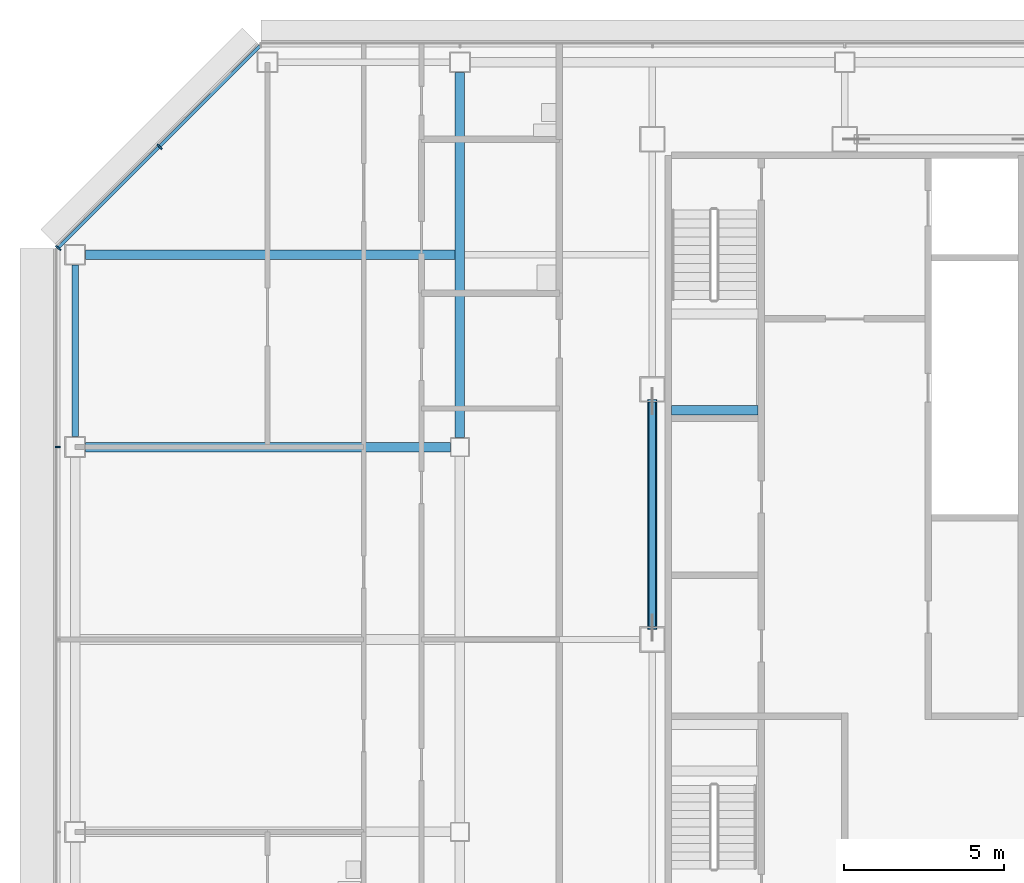
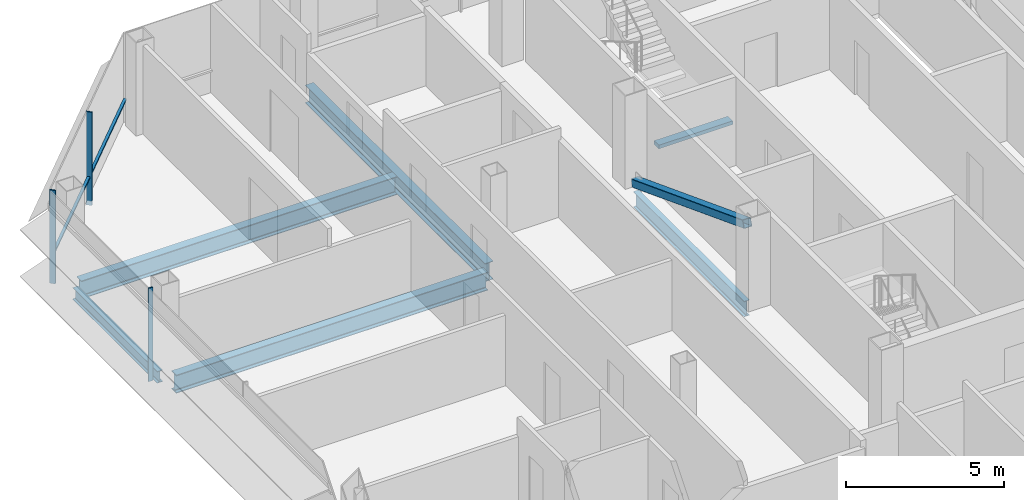
# One storey, part 11 of 27: 6 beams, 5 members, 2 elements without a shape of their own.
"""IFC4 building model written with IfcOpenShell, lengths in metres."""

from ifc_helpers import new_model, si_unit, direction, frame, origin, origin_2d, place, context, subcontext, project, spatial, rectangle, hollow_rectangle, i_section, extrude, material, material_profile, profile_set, type_object, element, aggregate, save


model = new_model("IFC4")

# Units and contexts
model_context = context("Model", 3, precision=1e-05, world=origin(), true_north=direction((0.0, 1.0)))
body_context = subcontext(model_context, "Body", "Model", "MODEL_VIEW")
ifc_project = project(units=[si_unit("LENGTHUNIT", "METRE"), si_unit("AREAUNIT", "SQUARE_METRE"), si_unit("VOLUMEUNIT", "CUBIC_METRE"), si_unit("PLANEANGLEUNIT", "RADIAN"), si_unit("MASSUNIT", "GRAM", prefix="KILO")], contexts=[model_context])

# Site, building, storey
site_placement = place(None, origin())
site = spatial("IfcSite", under=ifc_project, at=site_placement, CompositionType="ELEMENT")
building_placement = place(site_placement, origin())
building = spatial("IfcBuilding", under=site, at=building_placement, Name="Sorahane Residences", CompositionType="ELEMENT")
storey_placement = place(building_placement, frame((0.0, 0.0, 226.199951171875)))
storey = spatial("IfcBuildingStorey", under=building, at=storey_placement, Name="L53", CompositionType="ELEMENT", Elevation=226.199951171875)

# Member
ifc_material_1 = material(Name="Steel Q355B", Category="steel")
ifc_material_profile_1 = material_profile(ifc_material_1, hollow_rectangle(XDim=0.300048828125, YDim=0.300048828125, WallThickness=0.01611328125, InnerFilletRadius=0.008056640625, OuterFilletRadius=0.02392578125, at=origin_2d()), Name="RHS 300x300x16")
ifc_profile_set_1 = profile_set([ifc_material_profile_1], Name="Steel Q355B")
member_type_1 = type_object("IfcMemberType", Name="Core brace RHS 300x300x16 Q355B", PredefinedType="BRACE", material=ifc_profile_set_1)
member_1_placement = place(storey_placement, frame((6.0, 37.43212890625, 0.1376953125), z_axis=(0.0, -0.934335722983, 0.356394103147), x_axis=(1.0, 0.0, 0.0)))
element("IfcMember", 1, at=member_1_placement, inside=storey, type_object=member_type_1, Name="Core brace L53 x6-2", PredefinedType="BRACE", context=body_context, shape_type="SweptSolid", body=[
    extrude(hollow_rectangle(XDim=0.300048828125, YDim=0.300048828125, WallThickness=0.01611328125, InnerFilletRadius=0.008056640625, OuterFilletRadius=0.02392578125, at=origin_2d()), origin(), (0.0, 0.0, 1.0), 7.560791015625),
])

# Curtain wall, member
ifc_material_2 = material(Name="Dark low-e glass and black anodised aluminium", Category="aluminium")
curtain_wall_type_1 = type_object("IfcCurtainWallType", Name="Curtain wall CW-1 Typical unitised wall", PredefinedType="NOTDEFINED", material=ifc_material_2)
curtain_wall_1_placement = place(storey_placement, origin())
curtain_wall_1 = element("IfcCurtainWall", 2, at=curtain_wall_1_placement, inside=storey, type_object=curtain_wall_type_1, Name="CW-1 curtain wall L53 W1", PredefinedType="NOTDEFINED")
ifc_material_3 = material(Name="Black anodised aluminium", Category="aluminium")
ifc_material_profile_2 = material_profile(ifc_material_3, rectangle(XDim=0.159912109375, YDim=0.050048828125, at=origin_2d()), Name="Curtain wall mullion CW-1 black anodised aluminium 50x160")
ifc_profile_set_2 = profile_set([ifc_material_profile_2], Name="Black anodised aluminium")
member_type_2 = type_object("IfcMemberType", Name="Curtain wall mullion CW-1 black anodised aluminium 50x160", PredefinedType="MULLION", material=ifc_profile_set_2)
member_2_placement = place(storey_placement, frame((-12.5400390625, 36.0, -0.179931640625), z_axis=(0.0, 0.0, 1.0), x_axis=(-1.0, 0.0, 0.0)))
member_2 = element("IfcMember", 3, at=member_2_placement, type_object=member_type_2, Name="CW-1 mullion L53 W1.2", PredefinedType="MULLION", context=body_context, shape_type="SweptSolid", body=[
    extrude(rectangle(XDim=0.159912109375, YDim=0.050048828125, at=origin_2d()), origin(), (0.0, 0.0, 1.0), 3.60009765625),
])
aggregate(curtain_wall_1, [member_2])

# Curtain wall, members
ifc_material_4 = material(Name="Dark low-e glass and black anodised aluminium", Category="aluminium")
curtain_wall_type_2 = type_object("IfcCurtainWallType", Name="Curtain wall CW-2 Chamfer unitised wall", PredefinedType="NOTDEFINED", material=ifc_material_4)
curtain_wall_2_placement = place(storey_placement, origin())
curtain_wall_2 = element("IfcCurtainWall", 4, at=curtain_wall_2_placement, inside=storey, type_object=curtain_wall_type_2, Name="CW-2 curtain wall L53 NW1", PredefinedType="NOTDEFINED")
ifc_material_5 = material(Name="Black anodised aluminium", Category="aluminium")
ifc_material_profile_3 = material_profile(ifc_material_5, rectangle(XDim=0.199951171875, YDim=0.050048828125, at=origin_2d()), Name="Curtain wall mullion CW-2 black anodised aluminium 50x200")
ifc_profile_set_3 = profile_set([ifc_material_profile_3], Name="Black anodised aluminium")
member_type_3 = type_object("IfcMemberType", Name="Curtain wall mullion CW-2 black anodised aluminium 50x200", PredefinedType="MULLION", material=ifc_profile_set_3)
member_3_placement = place(storey_placement, frame((-9.36767578125, 45.36767578125, -0.179931640625), z_axis=(0.0, 0.0, 1.0), x_axis=(-0.707106781187, 0.707106781187, 0.0)))
member_3 = element("IfcMember", 5, at=member_3_placement, type_object=member_type_3, Name="CW-2 mullion L53 NW1.2", PredefinedType="MULLION", context=body_context, shape_type="SweptSolid", body=[
    extrude(rectangle(XDim=0.199951171875, YDim=0.050048828125, at=origin_2d()), origin(), (0.0, 0.0, 1.0), 3.60009765625),
])
member_4_placement = place(storey_placement, frame((-12.525634765625, 42.209716796875, -0.179931640625), z_axis=(0.0, 0.0, 1.0), x_axis=(-0.707106781187, 0.707106781187, 0.0)))
member_4 = element("IfcMember", 6, at=member_4_placement, type_object=member_type_3, Name="CW-2 mullion L53 NW1.3", PredefinedType="MULLION", context=body_context, shape_type="SweptSolid", body=[
    extrude(rectangle(XDim=0.199951171875, YDim=0.050048828125, at=origin_2d()), origin(), (0.0, 0.0, 1.0), 3.60009765625),
])
ifc_material_6 = material(Name="Black anodised aluminium", Category="aluminium")
ifc_material_profile_4 = material_profile(ifc_material_6, rectangle(XDim=0.10009765625, YDim=0.06005859375, at=origin_2d()), Name="Curtain wall transom CW-2 black anodised aluminium 60x100")
ifc_profile_set_4 = profile_set([ifc_material_profile_4], Name="Black anodised aluminium")
member_type_4 = type_object("IfcMemberType", Name="Curtain wall transom CW-2 black anodised aluminium 60x100", PredefinedType="USERDEFINED", material=ifc_profile_set_4)
member_5_placement = place(storey_placement, frame((-6.234375, 48.51513671875, 0.900146484375), z_axis=(-0.707106781187, -0.707106781187, 0.0), x_axis=(0.707106781187, -0.707106781187, 0.0)))
member_5 = element("IfcMember", 7, at=member_5_placement, type_object=member_type_4, Name="CW-2 transom L53 NW1", ObjectType="TRANSOM", PredefinedType="USERDEFINED", context=body_context, shape_type="SweptSolid", body=[
    extrude(rectangle(XDim=0.10009765625, YDim=0.06005859375, at=origin_2d()), origin(), (0.0, 0.0, 1.0), 8.88232421875),
])
aggregate(curtain_wall_2, [member_3, member_4, member_5])

# Beams
ifc_material_7 = material(Name="Concrete C40", Category="concrete")
ifc_material_profile_5 = material_profile(ifc_material_7, rectangle(XDim=0.300048828125, YDim=0.139892578125, at=origin_2d()), Name="300x140")
ifc_profile_set_5 = profile_set([ifc_material_profile_5], Name="Concrete C40")
beam_type_1 = type_object("IfcBeamType", Name="RC landing beam 300 x 140 Concrete C40", PredefinedType="BEAM", material=ifc_profile_set_5)
beam_1_placement = place(storey_placement, frame((6.60009765625, 37.14990234375, 1.530029296875), z_axis=(1.0, 0.0, 0.0), x_axis=(0.0, 1.0, 0.0)))
element("IfcBeam", 8, at=beam_1_placement, inside=storey, type_object=beam_type_1, Name="Landing beam", PredefinedType="BEAM", context=body_context, shape_type="SweptSolid", body=[
    extrude(rectangle(XDim=0.300048828125, YDim=0.139892578125, at=origin_2d()), origin(), (0.0, 0.0, 1.0), 2.699951171875),
])
ifc_material_8 = material(Name="Steel Q355B", Category="steel")
ifc_material_profile_6 = material_profile(ifc_material_8, i_section(OverallWidth=0.199951171875, OverallDepth=0.449951171875, WebThickness=0.009033203125, FlangeThickness=0.013916015625, FilletRadius=0.02001953125, at=origin_2d()), Name="HN 450x200x9x14")
ifc_profile_set_6 = profile_set([ifc_material_profile_6], Name="Steel Q355B")
beam_type_2 = type_object("IfcBeamType", Name="Steel floor beam HN 450x200x9x14 Q355B", PredefinedType="BEAM", material=ifc_profile_set_6)
beam_2_placement = place(storey_placement, frame((-12.0, 36.324951171875, -0.405029296875), z_axis=(0.0, 1.0, 0.0), x_axis=(-1.0, 0.0, 0.0)))
element("IfcBeam", 9, at=beam_2_placement, inside=storey, type_object=beam_type_2, Name="Beam L53 023", PredefinedType="BEAM", context=body_context, shape_type="SweptSolid", body=[
    extrude(i_section(OverallWidth=0.199951171875, OverallDepth=0.449951171875, WebThickness=0.009033203125, FlangeThickness=0.013916015625, FilletRadius=0.02001953125, at=origin_2d()), origin(), (0.0, 0.0, 1.0), 5.35009765625),
])
ifc_material_9 = material(Name="Steel Q355B", Category="steel")
ifc_material_profile_7 = material_profile(ifc_material_9, i_section(OverallWidth=0.199951171875, OverallDepth=0.60009765625, WebThickness=0.010986328125, FlangeThickness=0.01708984375, FilletRadius=0.02392578125, at=origin_2d()), Name="HN 600x200x11x17")
ifc_profile_set_7 = profile_set([ifc_material_profile_7], Name="Steel Q355B")
beam_type_3 = type_object("IfcBeamType", Name="Steel floor beam HN 600x200x11x17 Q355B", PredefinedType="BEAM", material=ifc_profile_set_7)
beam_3_placement = place(storey_placement, frame((6.0, 30.39990234375, -0.47998046875), z_axis=(0.0, 1.0, 0.0), x_axis=(-1.0, 0.0, 0.0)))
element("IfcBeam", 10, at=beam_3_placement, inside=storey, type_object=beam_type_3, Name="Beam L53 031", PredefinedType="BEAM", context=body_context, shape_type="SweptSolid", body=[
    extrude(i_section(OverallWidth=0.199951171875, OverallDepth=0.60009765625, WebThickness=0.010986328125, FlangeThickness=0.01708984375, FilletRadius=0.02392578125, at=origin_2d()), origin(), (0.0, 0.0, 1.0), 7.0),
])
ifc_material_10 = material(Name="Steel Q355B", Category="steel")
ifc_material_profile_8 = material_profile(ifc_material_10, i_section(OverallWidth=0.300048828125, OverallDepth=0.699951171875, WebThickness=0.012939453125, FlangeThickness=0.02392578125, FilletRadius=0.028076171875, at=origin_2d()), Name="HN 700x300x13x24")
ifc_profile_set_8 = profile_set([ifc_material_profile_8], Name="Steel Q355B")
beam_type_4 = type_object("IfcBeamType", Name="Steel floor beam HN 700x300x13x24 Q355B", PredefinedType="BEAM", material=ifc_profile_set_8)
for number, where, z_axis, x_axis, name in (
    (11, (-11.675048828125, 36.0, -0.530029296875), (1.0, 0.0, 0.0), (0.0, 1.0, 0.0), "Beam L53 013"),
    (12, (0.0, 36.300048828125, -0.530029296875), (0.0, 1.0, 0.0), (-1.0, 0.0, 0.0), "Beam L53 027"),
):
    element("IfcBeam", number, at=place(storey_placement, frame(where, z_axis=z_axis, x_axis=x_axis)), inside=storey, type_object=beam_type_4, Name=name, PredefinedType="BEAM", context=body_context, shape_type="SweptSolid", body=[
        extrude(i_section(OverallWidth=0.300048828125, OverallDepth=0.699951171875, WebThickness=0.012939453125, FlangeThickness=0.02392578125, FilletRadius=0.028076171875, at=origin_2d()), origin(), (0.0, 0.0, 1.0), 11.375),
    ])
beam_4_placement = place(storey_placement, frame((-11.675048828125, 42.0, -0.530029296875), z_axis=(1.0, 0.0, 0.0), x_axis=(0.0, 1.0, 0.0)))
element("IfcBeam", 13, at=beam_4_placement, inside=storey, type_object=beam_type_4, Name="Beam L53 089", PredefinedType="BEAM", context=body_context, shape_type="SweptSolid", body=[
    extrude(i_section(OverallWidth=0.300048828125, OverallDepth=0.699951171875, WebThickness=0.012939453125, FlangeThickness=0.02392578125, FilletRadius=0.028076171875, at=origin_2d()), origin(), (0.0, 0.0, 1.0), 11.525146484375),
])

save(model, "model.ifc")
